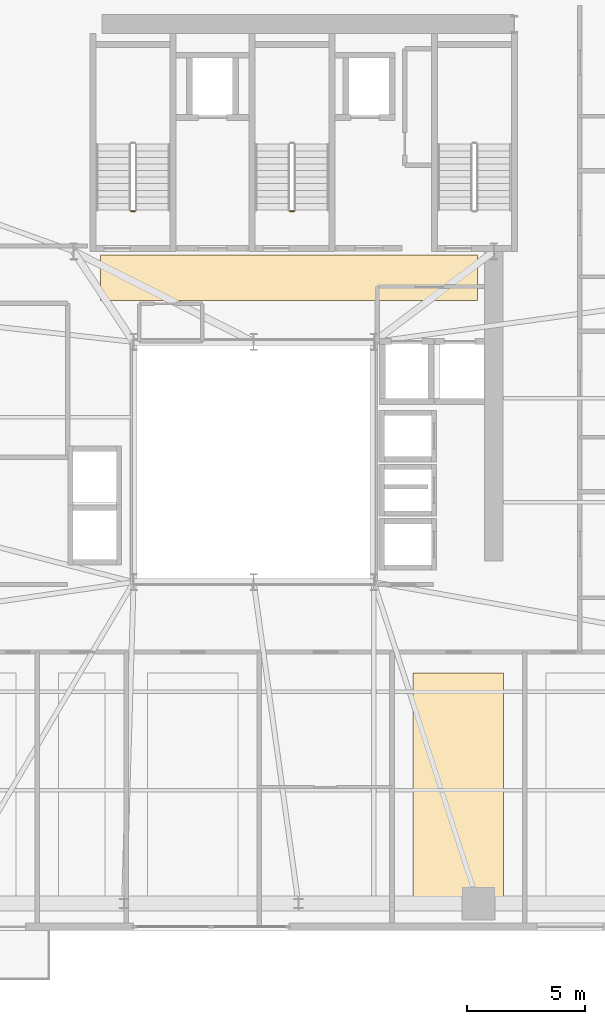
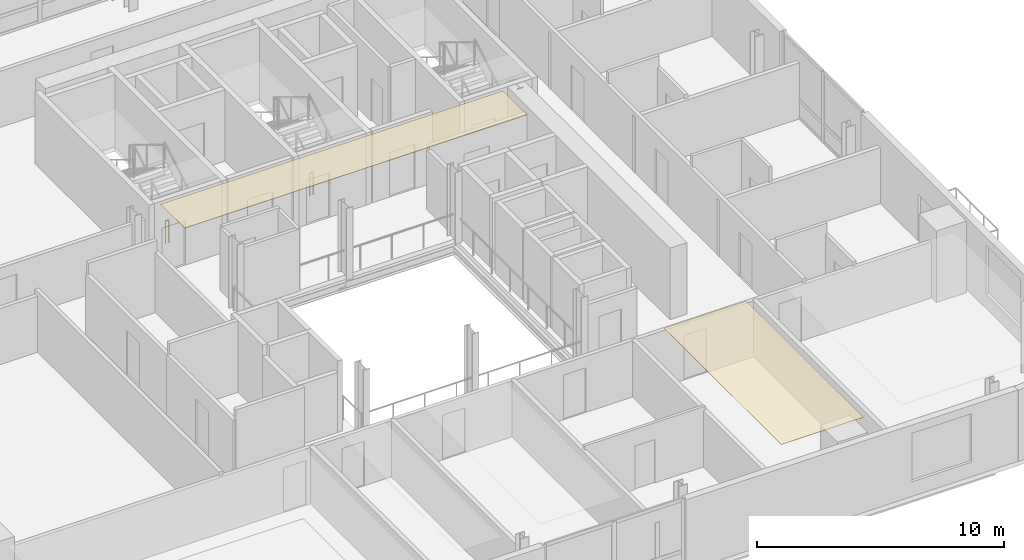
# One storey, part 13 of 16: 2 coverings, 2 railings.
"""IFC4 building model written with IfcOpenShell, lengths in metres."""

from ifc_helpers import new_model, si_unit, direction, frame, origin, origin_2d, place, context, subcontext, project, spatial, polyline, rectangle, outline, extrude, source, transform, mapped, material, layer, layer_set, type_object, element, save


model = new_model("IFC4")

# Units and contexts
model_context = context("Model", 3, precision=1e-05, world=origin(), true_north=direction((0.0, 1.0)))
body_context = subcontext(model_context, "Body", "Model", "MODEL_VIEW")
ifc_project = project(units=[si_unit("LENGTHUNIT", "METRE"), si_unit("AREAUNIT", "SQUARE_METRE"), si_unit("VOLUMEUNIT", "CUBIC_METRE"), si_unit("PLANEANGLEUNIT", "RADIAN"), si_unit("MASSUNIT", "GRAM", prefix="KILO")], contexts=[model_context])

# Site, building, storey
site_placement = place(None, origin())
site = spatial("IfcSite", under=ifc_project, at=site_placement, CompositionType="ELEMENT")
building_placement = place(site_placement, origin())
building = spatial("IfcBuilding", under=site, at=building_placement, Name="Vardaveli Station Tower", CompositionType="ELEMENT")
storey_placement = place(building_placement, frame((0.0, 0.0, 226.050048828125)))
storey = spatial("IfcBuildingStorey", under=building, at=storey_placement, Name="L58", CompositionType="ELEMENT", Elevation=226.050048828125)

# Coverings
ifc_material_1 = material(Name="Perforated acoustic mineral ceiling")
ifc_layer = layer(ifc_material_1, 0.02001953125, Name="Perforated acoustic mineral ceiling")
ifc_layer_set = layer_set([ifc_layer], Name="Perforated acoustic mineral ceiling")
covering_type = type_object("IfcCoveringType", Name="COV-CEIL-AC20", PredefinedType="CEILING", material=ifc_layer_set)
covering_1_placement = place(storey_placement, frame((0.0, 0.0, 3.514892578125)))
element("IfcCovering", 1, at=covering_1_placement, inside=storey, type_object=covering_type, Name="CEIL-L58-4", PredefinedType="CEILING", context=body_context, shape_type="SweptSolid", body=[
    extrude(outline(polyline([(43.077392578125, 3.25), (46.919921875, 3.25), (46.919921875, 12.72998046875), (43.077392578125, 12.72998046875), (43.077392578125, 3.25)])), origin(), (0.0, 0.0, 1.0), 0.02001953125),
])
covering_2_placement = place(storey_placement, frame((0.0, 0.0, 3.514892578125)))
element("IfcCovering", 2, at=covering_2_placement, inside=storey, type_object=covering_type, Name="CEIL-L58-6", PredefinedType="CEILING", context=body_context, shape_type="SweptSolid", body=[
    extrude(outline(polyline([(29.800048828125, 28.550048828125), (45.800048828125, 28.550048828125), (45.800048828125, 30.5), (29.800048828125, 30.5), (29.800048828125, 28.550048828125)])), origin(), (0.0, 0.0, 1.0), 0.02001953125),
])

# Railings
ifc_material_2 = material(Name="Brushed AISI 316 stainless steel", Category="steel")
railing_type = type_object("IfcRailingType", Name="RL-GUARD-1150", PredefinedType="GUARDRAIL", material=ifc_material_2)
shared_shape = source(origin(), body_context, "Body", "SweptSolid", [
    extrude(rectangle(XDim=0.048095703125, YDim=0.048095703125, at=origin_2d()), frame((0.0, 0.0, 1.1259765625), z_axis=(-1.0, 0.0, 0.0), x_axis=(0.0, -1.0, 0.0)), (0.0, 0.0, 1.0), 0.14990234375),
    extrude(rectangle(XDim=0.0419921875, YDim=0.0419921875, at=origin_2d()), origin(), (0.0, 0.0, 1.0), 1.101806640625),
    extrude(rectangle(XDim=0.0419921875, YDim=0.0419921875, at=origin_2d()), frame((-0.14990234375, 0.0, 0.0)), (0.0, 0.0, 1.0), 1.101806640625),
])
for number, where, name in (
    (3, (31.25, 32.35009765625, 0.0), "L58 ST-1 stair guard 4"),
    (4, (38.0, 32.35009765625, 0.0), "L58 ST-2 stair guard 4"),
):
    element("IfcRailing", number, at=place(storey_placement, frame(where)), inside=storey, type_object=railing_type, Name=name, PredefinedType="GUARDRAIL", context=body_context, shape_type="MappedRepresentation", body=[
        mapped(shared_shape, transform((0.0, 0.0, 0.0), scale=1.0)),
    ])

save(model, "model.ifc")
